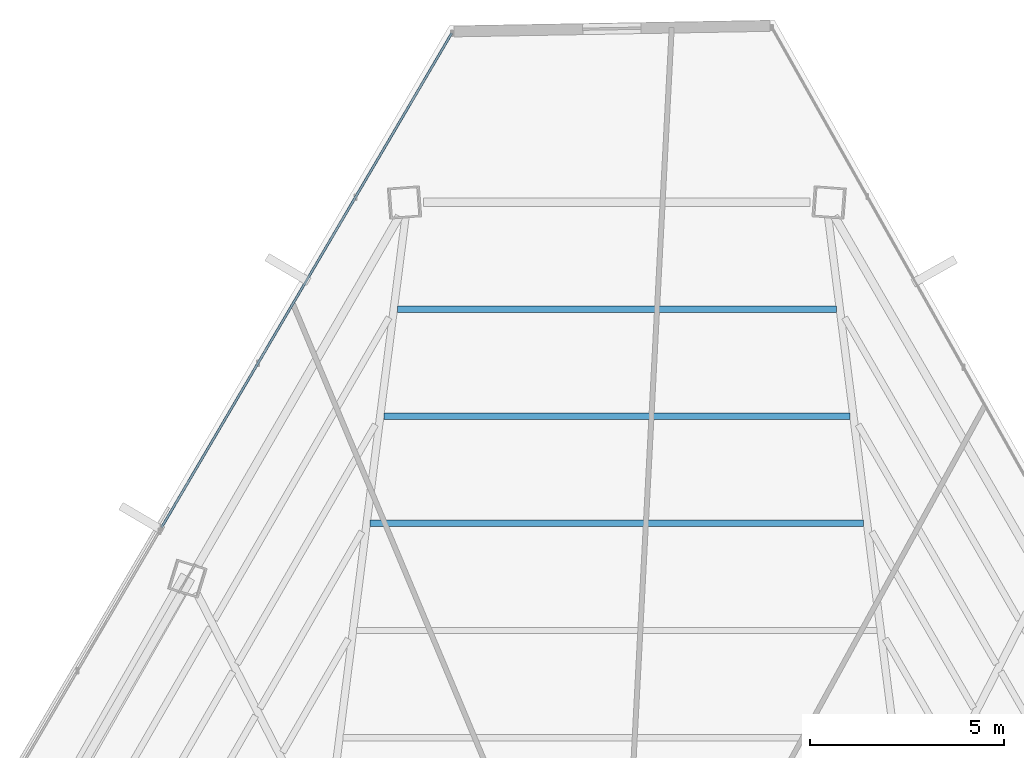
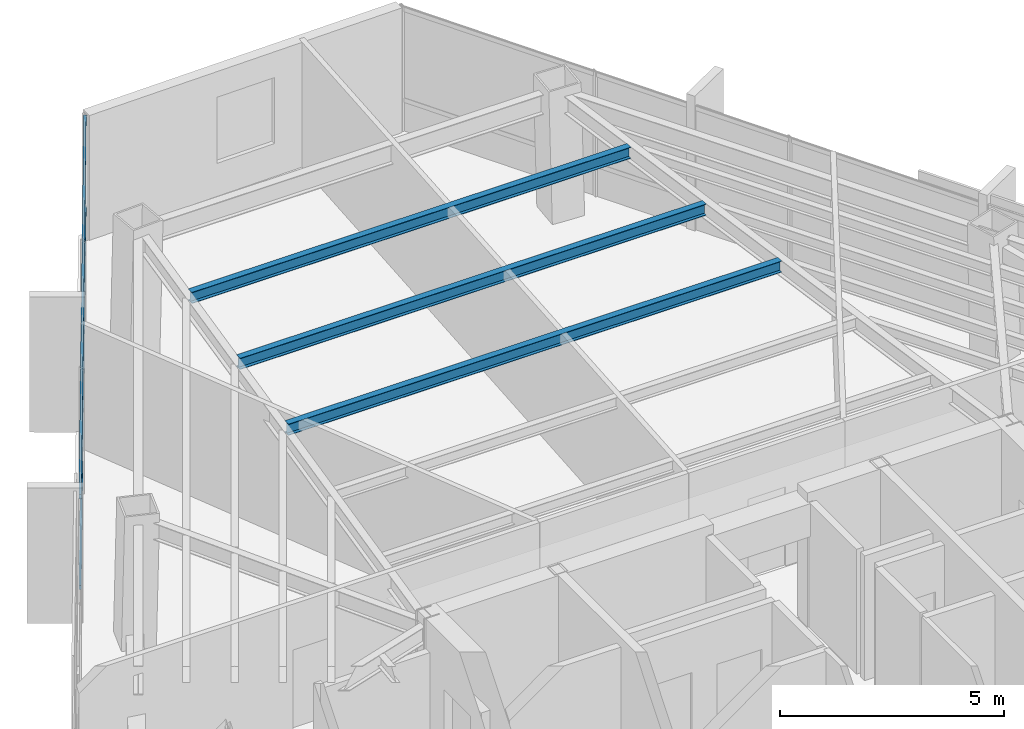
# One storey, part 28 of 42: 3 beams, 2 members, 1 element without a shape of its own.
"""IFC4 building model written with IfcOpenShell, lengths in metres."""

from ifc_helpers import new_model, si_unit, direction, frame, origin, origin_2d, place, context, subcontext, project, spatial, hollow_rectangle, i_section, extrude, source, transform, mapped, material, material_profile, profile_set, type_object, type_shapes, element, aggregate, save


model = new_model("IFC4")

# Units and contexts
model_context = context("Model", 3, precision=1e-05, world=origin(), true_north=direction((0.0, 1.0)))
body_context = subcontext(model_context, "Body", "Model", "MODEL_VIEW")
ifc_project = project(units=[si_unit("LENGTHUNIT", "METRE"), si_unit("AREAUNIT", "SQUARE_METRE"), si_unit("VOLUMEUNIT", "CUBIC_METRE"), si_unit("PLANEANGLEUNIT", "RADIAN"), si_unit("MASSUNIT", "GRAM", prefix="KILO")], contexts=[model_context])

# Site, building, storey
site_placement = place(None, origin())
site = spatial("IfcSite", under=ifc_project, at=site_placement, CompositionType="ELEMENT")
building_placement = place(site_placement, origin())
building = spatial("IfcBuilding", under=site, at=building_placement, Name="Caelisora Broadcast Tower", CompositionType="ELEMENT")
storey_placement = place(building_placement, frame((0.0, 0.0, 187.699951171875)))
storey = spatial("IfcBuildingStorey", under=building, at=storey_placement, Name="L49", CompositionType="ELEMENT", Elevation=187.699951171875)

# Beams
ifc_material_1 = material(Name="Steel Grade 350 (AS/NZS 3679.1)", Category="steel")
ifc_material_profile_1 = material_profile(ifc_material_1, i_section(OverallWidth=0.166015625, OverallDepth=0.30712890625, WebThickness=0.006591796875, FlangeThickness=0.01171875, at=origin_2d()), Name="Steel Grade 350 (AS/NZS 3679.1)")
ifc_profile_set_1 = profile_set([ifc_material_profile_1], Name="Steel Grade 350 (AS/NZS 3679.1)")
beam_type = type_object("IfcBeamType", Name="SB03", PredefinedType="JOIST", material=ifc_profile_set_1)
shared_shape_1 = source(origin(), body_context, "Body", "SweptSolid", [
    extrude(i_section(OverallWidth=0.166015625, OverallDepth=0.30712890625, WebThickness=0.006591796875, FlangeThickness=0.01171875, at=origin_2d()), origin(), (0.0, 0.0, 1.0), 12.71337890625),
])
beam_1_placement = place(storey_placement, frame((44.356689453125, 38.280029296875, 3.246337890625), z_axis=(-1.0, 0.0, 0.0), x_axis=(0.0, -1.0, 0.0)))
element("IfcBeam", 1, at=beam_1_placement, inside=storey, type_object=beam_type, Name="L49 beam SB03", PredefinedType="JOIST", context=body_context, shape_type="MappedRepresentation", body=[
    mapped(shared_shape_1, transform((0.0, 0.0, 0.0), scale=1.0)),
])
shared_shape_2 = source(origin(), body_context, "Body", "SweptSolid", [
    extrude(i_section(OverallWidth=0.166015625, OverallDepth=0.30712890625, WebThickness=0.006591796875, FlangeThickness=0.01171875, at=origin_2d()), origin(), (0.0, 0.0, 1.0), 12.01318359375),
])
beam_2_placement = place(storey_placement, frame((44.006591796875, 41.0400390625, 3.246337890625), z_axis=(-1.0, 0.0, 0.0), x_axis=(0.0, -1.0, 0.0)))
element("IfcBeam", 2, at=beam_2_placement, inside=storey, type_object=beam_type, Name="L49 beam SB03", PredefinedType="JOIST", context=body_context, shape_type="MappedRepresentation", body=[
    mapped(shared_shape_2, transform((0.0, 0.0, 0.0), scale=1.0)),
])
shared_shape_3 = source(origin(), body_context, "Body", "SweptSolid", [
    extrude(i_section(OverallWidth=0.166015625, OverallDepth=0.30712890625, WebThickness=0.006591796875, FlangeThickness=0.01171875, at=origin_2d()), origin(), (0.0, 0.0, 1.0), 11.31298828125),
])
type_shapes(beam_type, [shared_shape_1, shared_shape_2, shared_shape_3])
beam_3_placement = place(storey_placement, frame((43.656494140625, 43.80029296875, 3.246337890625), z_axis=(-1.0, 0.0, 0.0), x_axis=(0.0, -1.0, 0.0)))
element("IfcBeam", 3, at=beam_3_placement, inside=storey, type_object=beam_type, Name="L49 beam SB03", PredefinedType="JOIST", context=body_context, shape_type="MappedRepresentation", body=[
    mapped(shared_shape_3, transform((0.0, 0.0, 0.0), scale=1.0)),
])

# Curtain wall, members
ifc_material_2 = material(Name="Unitised Aluminium and Low-E Glass Curtain Wall", Category="glass")
curtain_wall_type = type_object("IfcCurtainWallType", Name="CW-Z4", PredefinedType="NOTDEFINED", material=ifc_material_2)
curtain_wall_placement = place(storey_placement, origin())
curtain_wall = element("IfcCurtainWall", 4, at=curtain_wall_placement, inside=storey, type_object=curtain_wall_type, Name="L49 curtain wall CW-Z4", PredefinedType="NOTDEFINED")
ifc_material_3 = material(Name="Aluminium 6063-T6 Anodised Terracotta Bronze", Category="aluminium")
ifc_material_profile_2 = material_profile(ifc_material_3, hollow_rectangle(XDim=0.06005859375, YDim=0.1201171875, WallThickness=0.0029296875, at=origin_2d()), Name="Aluminium 6063-T6 Anodised Terracotta Bronze")
ifc_profile_set_2 = profile_set([ifc_material_profile_2], Name="Aluminium 6063-T6 Anodised Terracotta Bronze")
member_type = type_object("IfcMemberType", Name="CWT-03", PredefinedType="USERDEFINED", material=ifc_profile_set_2)
shared_shape_4 = source(origin(), body_context, "Body", "SweptSolid", [
    extrude(hollow_rectangle(XDim=0.06005859375, YDim=0.1201171875, WallThickness=0.0029296875, at=origin_2d()), origin(), (0.0, 0.0, 1.0), 14.775390625),
])
type_shapes(member_type, [shared_shape_4])
member_1_placement = place(storey_placement, frame((26.264404296875, 38.177490234375, 0.85009765625), z_axis=(0.50632746555, 0.862341288371, 0.0), x_axis=(-0.862341288371, 0.50632746555, 0.0)))
member_1 = element("IfcMember", 5, at=member_1_placement, type_object=member_type, Name="L49-CW-B11 transom #1", ObjectType="TRANSOM", PredefinedType="USERDEFINED", context=body_context, shape_type="MappedRepresentation", body=[
    mapped(shared_shape_4, transform((0.0, 0.0, 0.0), scale=1.0)),
])
member_2_placement = place(storey_placement, frame((26.264404296875, 38.177490234375, 3.320068359375), z_axis=(0.50632746555, 0.862341288371, 0.0), x_axis=(-0.862341288371, 0.50632746555, 0.0)))
member_2 = element("IfcMember", 6, at=member_2_placement, type_object=member_type, Name="L49-CW-B11 transom #2", ObjectType="TRANSOM", PredefinedType="USERDEFINED", context=body_context, shape_type="MappedRepresentation", body=[
    mapped(shared_shape_4, transform((0.0, 0.0, 0.0), scale=1.0)),
])
aggregate(curtain_wall, [member_1, member_2])

save(model, "model.ifc")
